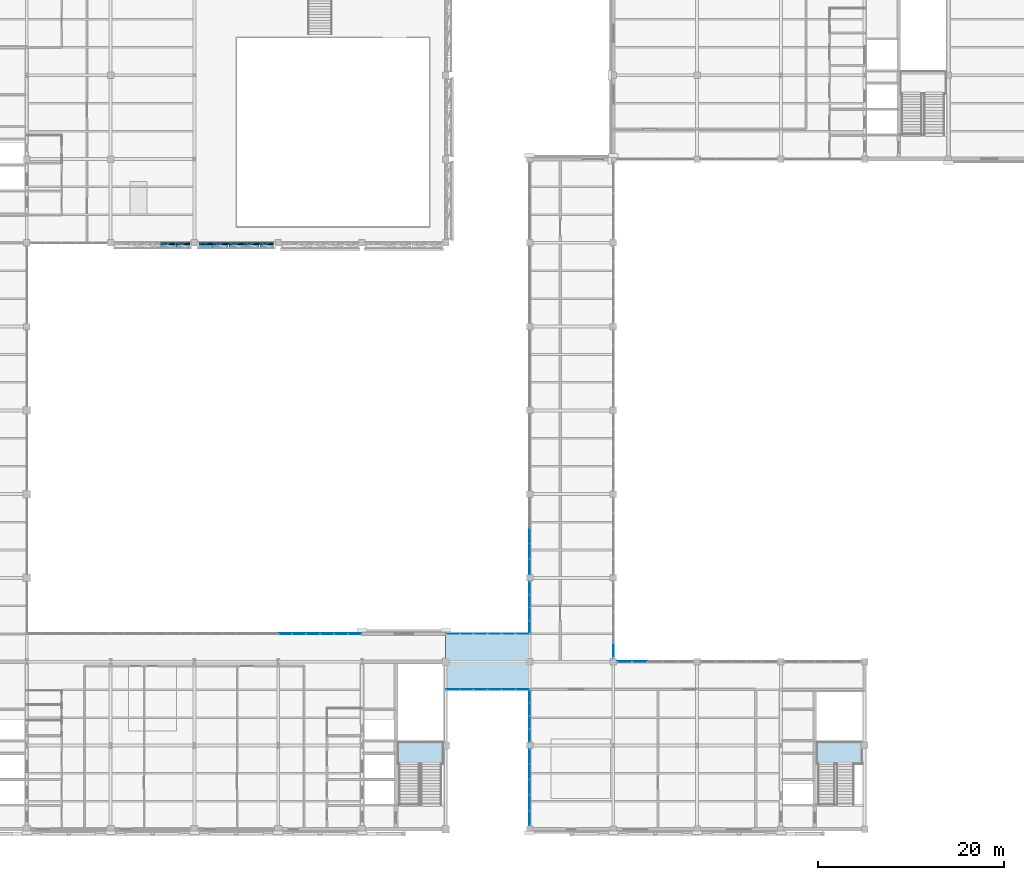
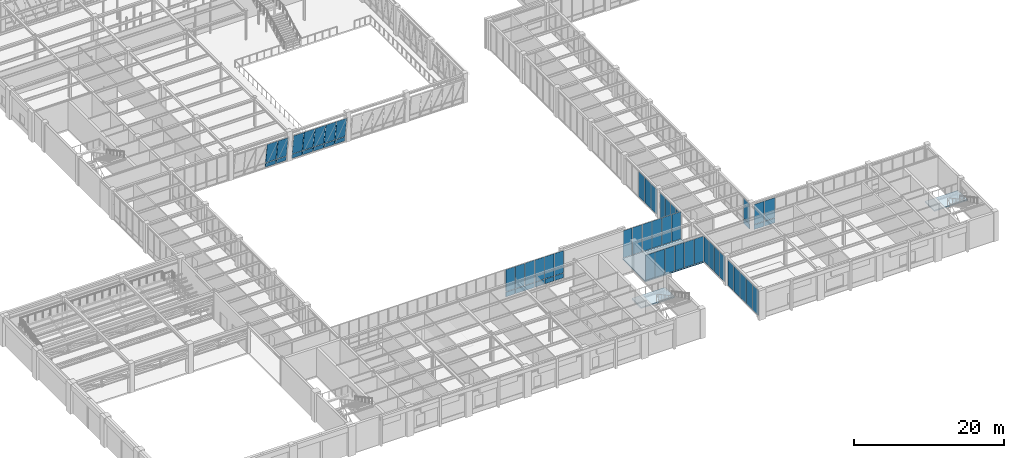
# One storey, part 70 of 92: 60 plates, 3 slabs, 13 elements without a shape of their own.
"""IFC4 building model written with IfcOpenShell, lengths in metres."""

from ifc_helpers import new_model, si_unit, direction, frame, origin, origin_2d, place, context, subcontext, project, spatial, polyline, rectangle, outline, extrude, material, layer, layer_set, type_object, element, aggregate, save


model = new_model("IFC4")

# Units and contexts
model_context = context("Model", 3, precision=1e-05, world=origin(), true_north=direction((0.0, 1.0)))
body_context = subcontext(model_context, "Body", "Model", "MODEL_VIEW")
ifc_project = project(units=[si_unit("LENGTHUNIT", "METRE"), si_unit("AREAUNIT", "SQUARE_METRE"), si_unit("VOLUMEUNIT", "CUBIC_METRE"), si_unit("PLANEANGLEUNIT", "RADIAN"), si_unit("MASSUNIT", "GRAM", prefix="KILO")], contexts=[model_context])

# Site, building, storey
site_placement = place(None, origin())
site = spatial("IfcSite", under=ifc_project, at=site_placement, CompositionType="ELEMENT")
building_placement = place(site_placement, origin())
building = spatial("IfcBuilding", under=site, at=building_placement, Name="Lykobir Media Centre", CompositionType="ELEMENT")
storey_placement = place(building_placement, frame((0.0, 0.0, 5.39990234375)))
storey = spatial("IfcBuildingStorey", under=building, at=storey_placement, Name="L01", CompositionType="ELEMENT", Elevation=5.39990234375)

# Curtain wall, plates
ifc_material_1 = material(Name="Anodized Aluminium AW-6060", Category="aluminium")
curtain_wall_type_1 = type_object("IfcCurtainWallType", Name="CW-BRIDGE", PredefinedType="NOTDEFINED", material=ifc_material_1)
curtain_wall_1_placement = place(storey_placement, origin())
curtain_wall_1 = element("IfcCurtainWall", 1, at=curtain_wall_1_placement, inside=storey, type_object=curtain_wall_type_1, Name="Curtain wall CW2-L01-0025", PredefinedType="NOTDEFINED")
ifc_material_2 = material(Name="Low-E Laminated Triple Glazing", Category="glass")
ifc_layer_1 = layer(ifc_material_2, 0.0380859375, Name="Low-E Laminated Triple Glazing")
ifc_layer_set_1 = layer_set([ifc_layer_1], Name="Low-E Laminated Triple Glazing")
plate_type_1 = type_object("IfcPlateType", Name="CWP-GLZ-38", PredefinedType="CURTAIN_PANEL", material=ifc_layer_set_1)
plate_1_placement = place(storey_placement, frame((89.23388671875, 15.0, 0.065185546875), z_axis=(0.0, 0.0, 1.0), x_axis=(-1.0, 0.0, 0.0)))
plate_1 = element("IfcPlate", 2, at=plate_1_placement, type_object=plate_type_1, Name="CW2-L01-0025 panel 1.1", PredefinedType="CURTAIN_PANEL", context=body_context, shape_type="SweptSolid", body=[
    extrude(rectangle(XDim=1.402587890625, YDim=0.0380859375, at=origin_2d()), origin(), (0.0, 0.0, 1.0), 4.074951171875),
])
plate_2_placement = place(storey_placement, frame((87.75, 15.0, 0.065185546875), z_axis=(0.0, 0.0, 1.0), x_axis=(-1.0, 0.0, 0.0)))
plate_2 = element("IfcPlate", 3, at=plate_2_placement, type_object=plate_type_1, Name="CW2-L01-0025 panel 2.1", PredefinedType="CURTAIN_PANEL", context=body_context, shape_type="SweptSolid", body=[
    extrude(rectangle(XDim=1.43505859375, YDim=0.0380859375, at=origin_2d()), origin(), (0.0, 0.0, 1.0), 4.074951171875),
])
plate_3_placement = place(storey_placement, frame((86.25, 15.0, 0.065185546875), z_axis=(0.0, 0.0, 1.0), x_axis=(-1.0, 0.0, 0.0)))
plate_3 = element("IfcPlate", 4, at=plate_3_placement, type_object=plate_type_1, Name="CW2-L01-0025 panel 3.1", PredefinedType="CURTAIN_PANEL", context=body_context, shape_type="SweptSolid", body=[
    extrude(rectangle(XDim=1.43505859375, YDim=0.0380859375, at=origin_2d()), origin(), (0.0, 0.0, 1.0), 4.074951171875),
])
plate_4_placement = place(storey_placement, frame((84.75, 15.0, 0.065185546875), z_axis=(0.0, 0.0, 1.0), x_axis=(-1.0, 0.0, 0.0)))
plate_4 = element("IfcPlate", 5, at=plate_4_placement, type_object=plate_type_1, Name="CW2-L01-0025 panel 4.1", PredefinedType="CURTAIN_PANEL", context=body_context, shape_type="SweptSolid", body=[
    extrude(rectangle(XDim=1.43505859375, YDim=0.0380859375, at=origin_2d()), origin(), (0.0, 0.0, 1.0), 4.074951171875),
])
plate_5_placement = place(storey_placement, frame((83.25, 15.0, 0.065185546875), z_axis=(0.0, 0.0, 1.0), x_axis=(-1.0, 0.0, 0.0)))
plate_5 = element("IfcPlate", 6, at=plate_5_placement, type_object=plate_type_1, Name="CW2-L01-0025 panel 5.1", PredefinedType="CURTAIN_PANEL", context=body_context, shape_type="SweptSolid", body=[
    extrude(rectangle(XDim=1.43505859375, YDim=0.0380859375, at=origin_2d()), origin(), (0.0, 0.0, 1.0), 4.074951171875),
])
plate_6_placement = place(storey_placement, frame((81.76611328125, 15.0, 0.065185546875), z_axis=(0.0, 0.0, 1.0), x_axis=(-1.0, 0.0, 0.0)))
plate_6 = element("IfcPlate", 7, at=plate_6_placement, type_object=plate_type_1, Name="CW2-L01-0025 panel 6.1", PredefinedType="CURTAIN_PANEL", context=body_context, shape_type="SweptSolid", body=[
    extrude(rectangle(XDim=1.402587890625, YDim=0.0380859375, at=origin_2d()), origin(), (0.0, 0.0, 1.0), 4.074951171875),
])
aggregate(curtain_wall_1, [plate_1, plate_2, plate_3, plate_4, plate_5, plate_6])

curtain_wall_2_placement = place(storey_placement, origin())
curtain_wall_2 = element("IfcCurtainWall", 8, at=curtain_wall_2_placement, inside=storey, type_object=curtain_wall_type_1, Name="Curtain wall CW2-L01-0026", PredefinedType="NOTDEFINED")
plate_7_placement = place(storey_placement, frame((90.0, 1.2001953125, 0.065185546875), z_axis=(0.0, 0.0, 1.0), x_axis=(0.0, 1.0, 0.0)))
plate_7 = element("IfcPlate", 9, at=plate_7_placement, type_object=plate_type_1, Name="CW2-L01-0026 panel 1.1", PredefinedType="CURTAIN_PANEL", context=body_context, shape_type="SweptSolid", body=[
    extrude(rectangle(XDim=1.560546875, YDim=0.0380859375, at=origin_2d()), origin(), (0.0, 0.0, 1.0), 4.06494140625),
])
plate_8_placement = place(storey_placement, frame((90.0, 2.842041015625, 0.065185546875), z_axis=(0.0, 0.0, 1.0), x_axis=(0.0, 1.0, 0.0)))
plate_8 = element("IfcPlate", 10, at=plate_8_placement, type_object=plate_type_1, Name="CW2-L01-0026 panel 2.1", PredefinedType="CURTAIN_PANEL", context=body_context, shape_type="SweptSolid", body=[
    extrude(rectangle(XDim=1.593017578125, YDim=0.0380859375, at=origin_2d()), origin(), (0.0, 0.0, 1.0), 4.06494140625),
])
plate_9_placement = place(storey_placement, frame((90.0, 4.5, 0.065185546875), z_axis=(0.0, 0.0, 1.0), x_axis=(0.0, 1.0, 0.0)))
plate_9 = element("IfcPlate", 11, at=plate_9_placement, type_object=plate_type_1, Name="CW2-L01-0026 panel 3.1", PredefinedType="CURTAIN_PANEL", context=body_context, shape_type="SweptSolid", body=[
    extrude(rectangle(XDim=1.593017578125, YDim=0.0380859375, at=origin_2d()), origin(), (0.0, 0.0, 1.0), 4.06494140625),
])
plate_10_placement = place(storey_placement, frame((90.0, 6.157958984375, 0.065185546875), z_axis=(0.0, 0.0, 1.0), x_axis=(0.0, 1.0, 0.0)))
plate_10 = element("IfcPlate", 12, at=plate_10_placement, type_object=plate_type_1, Name="CW2-L01-0026 panel 4.1", PredefinedType="CURTAIN_PANEL", context=body_context, shape_type="SweptSolid", body=[
    extrude(rectangle(XDim=1.593017578125, YDim=0.0380859375, at=origin_2d()), origin(), (0.0, 0.0, 1.0), 4.06494140625),
])
plate_11_placement = place(storey_placement, frame((90.0, 7.7998046875, 0.065185546875), z_axis=(0.0, 0.0, 1.0), x_axis=(0.0, 1.0, 0.0)))
plate_11 = element("IfcPlate", 13, at=plate_11_placement, type_object=plate_type_1, Name="CW2-L01-0026 panel 5.1", PredefinedType="CURTAIN_PANEL", context=body_context, shape_type="SweptSolid", body=[
    extrude(rectangle(XDim=1.560546875, YDim=0.0380859375, at=origin_2d()), origin(), (0.0, 0.0, 1.0), 4.06494140625),
])
aggregate(curtain_wall_2, [plate_7, plate_8, plate_9, plate_10, plate_11])

curtain_wall_3_placement = place(storey_placement, origin())
curtain_wall_3 = element("IfcCurtainWall", 14, at=curtain_wall_3_placement, inside=storey, type_object=curtain_wall_type_1, Name="Curtain wall CW2-L01-0027", PredefinedType="NOTDEFINED")
plate_12_placement = place(storey_placement, frame((90.0, 10.076904296875, 0.065185546875), z_axis=(0.0, 0.0, 1.0), x_axis=(0.0, 1.0, 0.0)))
plate_12 = element("IfcPlate", 15, at=plate_12_placement, type_object=plate_type_1, Name="CW2-L01-0027 panel 1.1", PredefinedType="CURTAIN_PANEL", context=body_context, shape_type="SweptSolid", body=[
    extrude(rectangle(XDim=1.313720703125, YDim=0.0380859375, at=origin_2d()), origin(), (0.0, 0.0, 1.0), 4.06494140625),
])
plate_13_placement = place(storey_placement, frame((90.0, 11.471923828125, 0.065185546875), z_axis=(0.0, 0.0, 1.0), x_axis=(0.0, 1.0, 0.0)))
plate_13 = element("IfcPlate", 16, at=plate_13_placement, type_object=plate_type_1, Name="CW2-L01-0027 panel 2.1", PredefinedType="CURTAIN_PANEL", context=body_context, shape_type="SweptSolid", body=[
    extrude(rectangle(XDim=1.34619140625, YDim=0.0380859375, at=origin_2d()), origin(), (0.0, 0.0, 1.0), 4.06494140625),
])
plate_14_placement = place(storey_placement, frame((90.0, 12.883056640625, 0.065185546875), z_axis=(0.0, 0.0, 1.0), x_axis=(0.0, 1.0, 0.0)))
plate_14 = element("IfcPlate", 17, at=plate_14_placement, type_object=plate_type_1, Name="CW2-L01-0027 panel 3.1", PredefinedType="CURTAIN_PANEL", context=body_context, shape_type="SweptSolid", body=[
    extrude(rectangle(XDim=1.34619140625, YDim=0.0380859375, at=origin_2d()), origin(), (0.0, 0.0, 1.0), 4.06494140625),
])
plate_15_placement = place(storey_placement, frame((90.0, 14.278076171875, 0.065185546875), z_axis=(0.0, 0.0, 1.0), x_axis=(0.0, 1.0, 0.0)))
plate_15 = element("IfcPlate", 18, at=plate_15_placement, type_object=plate_type_1, Name="CW2-L01-0027 panel 4.1", PredefinedType="CURTAIN_PANEL", context=body_context, shape_type="SweptSolid", body=[
    extrude(rectangle(XDim=1.313720703125, YDim=0.0380859375, at=origin_2d()), origin(), (0.0, 0.0, 1.0), 4.06494140625),
])
aggregate(curtain_wall_3, [plate_12, plate_13, plate_14, plate_15])

curtain_wall_type_2 = type_object("IfcCurtainWallType", Name="CW-COURT-A", PredefinedType="NOTDEFINED", material=ifc_material_1)
curtain_wall_4_placement = place(storey_placement, origin())
curtain_wall_4 = element("IfcCurtainWall", 19, at=curtain_wall_4_placement, inside=storey, type_object=curtain_wall_type_2, Name="Curtain wall CW2-L01-0028", PredefinedType="NOTDEFINED")
plate_16_placement = place(storey_placement, frame((100.2001953125, 18.0, 0.882568359375), z_axis=(0.0, 0.0, 1.0), x_axis=(1.0, 0.0, 0.0)))
plate_16 = element("IfcPlate", 20, at=plate_16_placement, type_object=plate_type_1, Name="CW2-L01-0028 panel 1.2", PredefinedType="CURTAIN_PANEL", context=body_context, shape_type="SweptSolid", body=[
    extrude(rectangle(XDim=1.560546875, YDim=0.0380859375, at=origin_2d()), origin(), (0.0, 0.0, 1.0), 3.24755859375),
])
plate_17_placement = place(storey_placement, frame((101.842041015625, 18.0, 0.882568359375), z_axis=(0.0, 0.0, 1.0), x_axis=(1.0, 0.0, 0.0)))
plate_17 = element("IfcPlate", 21, at=plate_17_placement, type_object=plate_type_1, Name="CW2-L01-0028 panel 2.2", PredefinedType="CURTAIN_PANEL", context=body_context, shape_type="SweptSolid", body=[
    extrude(rectangle(XDim=1.593017578125, YDim=0.0380859375, at=origin_2d()), origin(), (0.0, 0.0, 1.0), 3.24755859375),
])

# Curtain wall, plate
curtain_wall_5_placement = place(storey_placement, origin())
curtain_wall_5 = element("IfcCurtainWall", 22, at=curtain_wall_5_placement, inside=storey, type_object=curtain_wall_type_2, Name="Curtain wall CW2-L01-0031", PredefinedType="NOTDEFINED")
plate_18_placement = place(storey_placement, frame((99.0, 19.2001953125, 0.882568359375), z_axis=(0.0, 0.0, 1.0), x_axis=(0.0, -1.0, 0.0)))
plate_18 = element("IfcPlate", 23, at=plate_18_placement, type_object=plate_type_1, Name="CW2-L01-0031 panel 5.2", PredefinedType="CURTAIN_PANEL", context=body_context, shape_type="SweptSolid", body=[
    extrude(rectangle(XDim=1.560546875, YDim=0.0380859375, at=origin_2d()), origin(), (0.0, 0.0, 1.0), 3.24755859375),
])

# Curtain wall, plates
curtain_wall_6_placement = place(storey_placement, origin())
curtain_wall_6 = element("IfcCurtainWall", 24, at=curtain_wall_6_placement, inside=storey, type_object=curtain_wall_type_1, Name="Curtain wall CW2-L01-0037", PredefinedType="NOTDEFINED")
plate_19_placement = place(storey_placement, frame((90.0, 21.721923828125, 0.065185546875), z_axis=(0.0, 0.0, 1.0), x_axis=(0.0, 1.0, 0.0)))
plate_19 = element("IfcPlate", 25, at=plate_19_placement, type_object=plate_type_1, Name="CW2-L01-0037 panel 1.1", PredefinedType="CURTAIN_PANEL", context=body_context, shape_type="SweptSolid", body=[
    extrude(rectangle(XDim=1.313720703125, YDim=0.0380859375, at=origin_2d()), origin(), (0.0, 0.0, 1.0), 4.06494140625),
])
plate_20_placement = place(storey_placement, frame((90.0, 23.116943359375, 0.065185546875), z_axis=(0.0, 0.0, 1.0), x_axis=(0.0, 1.0, 0.0)))
plate_20 = element("IfcPlate", 26, at=plate_20_placement, type_object=plate_type_1, Name="CW2-L01-0037 panel 2.1", PredefinedType="CURTAIN_PANEL", context=body_context, shape_type="SweptSolid", body=[
    extrude(rectangle(XDim=1.34619140625, YDim=0.0380859375, at=origin_2d()), origin(), (0.0, 0.0, 1.0), 4.06494140625),
])
plate_21_placement = place(storey_placement, frame((90.0, 24.528076171875, 0.065185546875), z_axis=(0.0, 0.0, 1.0), x_axis=(0.0, 1.0, 0.0)))
plate_21 = element("IfcPlate", 27, at=plate_21_placement, type_object=plate_type_1, Name="CW2-L01-0037 panel 3.1", PredefinedType="CURTAIN_PANEL", context=body_context, shape_type="SweptSolid", body=[
    extrude(rectangle(XDim=1.34619140625, YDim=0.0380859375, at=origin_2d()), origin(), (0.0, 0.0, 1.0), 4.06494140625),
])
plate_22_placement = place(storey_placement, frame((90.0, 25.923095703125, 0.065185546875), z_axis=(0.0, 0.0, 1.0), x_axis=(0.0, 1.0, 0.0)))
plate_22 = element("IfcPlate", 28, at=plate_22_placement, type_object=plate_type_1, Name="CW2-L01-0037 panel 4.1", PredefinedType="CURTAIN_PANEL", context=body_context, shape_type="SweptSolid", body=[
    extrude(rectangle(XDim=1.313720703125, YDim=0.0380859375, at=origin_2d()), origin(), (0.0, 0.0, 1.0), 4.06494140625),
])
aggregate(curtain_wall_6, [plate_19, plate_20, plate_21, plate_22])

curtain_wall_7_placement = place(storey_placement, origin())
curtain_wall_7 = element("IfcCurtainWall", 29, at=curtain_wall_7_placement, inside=storey, type_object=curtain_wall_type_1, Name="Curtain wall CW2-L01-0038", PredefinedType="NOTDEFINED")
plate_23_placement = place(storey_placement, frame((90.0, 28.2001953125, 0.065185546875), z_axis=(0.0, 0.0, 1.0), x_axis=(0.0, 1.0, 0.0)))
plate_23 = element("IfcPlate", 30, at=plate_23_placement, type_object=plate_type_1, Name="CW2-L01-0038 panel 1.1", PredefinedType="CURTAIN_PANEL", context=body_context, shape_type="SweptSolid", body=[
    extrude(rectangle(XDim=1.560546875, YDim=0.0380859375, at=origin_2d()), origin(), (0.0, 0.0, 1.0), 4.06494140625),
])
plate_24_placement = place(storey_placement, frame((90.0, 29.842041015625, 0.065185546875), z_axis=(0.0, 0.0, 1.0), x_axis=(0.0, 1.0, 0.0)))
plate_24 = element("IfcPlate", 31, at=plate_24_placement, type_object=plate_type_1, Name="CW2-L01-0038 panel 2.1", PredefinedType="CURTAIN_PANEL", context=body_context, shape_type="SweptSolid", body=[
    extrude(rectangle(XDim=1.593017578125, YDim=0.0380859375, at=origin_2d()), origin(), (0.0, 0.0, 1.0), 4.06494140625),
])
plate_25_placement = place(storey_placement, frame((90.0, 31.5, 0.065185546875), z_axis=(0.0, 0.0, 1.0), x_axis=(0.0, 1.0, 0.0)))
plate_25 = element("IfcPlate", 32, at=plate_25_placement, type_object=plate_type_1, Name="CW2-L01-0038 panel 3.1", PredefinedType="CURTAIN_PANEL", context=body_context, shape_type="SweptSolid", body=[
    extrude(rectangle(XDim=1.593017578125, YDim=0.0380859375, at=origin_2d()), origin(), (0.0, 0.0, 1.0), 4.06494140625),
])
aggregate(curtain_wall_7, [plate_23, plate_24, plate_25])

curtain_wall_8_placement = place(storey_placement, origin())
curtain_wall_8 = element("IfcCurtainWall", 33, at=curtain_wall_8_placement, inside=storey, type_object=curtain_wall_type_1, Name="Curtain wall CW2-L01-0043", PredefinedType="NOTDEFINED")
plate_26_placement = place(storey_placement, frame((81.76611328125, 21.0, 0.065185546875), z_axis=(0.0, 0.0, 1.0), x_axis=(1.0, 0.0, 0.0)))
plate_26 = element("IfcPlate", 34, at=plate_26_placement, type_object=plate_type_1, Name="CW2-L01-0043 panel 1.1", PredefinedType="CURTAIN_PANEL", context=body_context, shape_type="SweptSolid", body=[
    extrude(rectangle(XDim=1.402587890625, YDim=0.0380859375, at=origin_2d()), origin(), (0.0, 0.0, 1.0), 4.409912109375),
])
plate_27_placement = place(storey_placement, frame((83.25, 21.0, 0.065185546875), z_axis=(0.0, 0.0, 1.0), x_axis=(1.0, 0.0, 0.0)))
plate_27 = element("IfcPlate", 35, at=plate_27_placement, type_object=plate_type_1, Name="CW2-L01-0043 panel 2.1", PredefinedType="CURTAIN_PANEL", context=body_context, shape_type="SweptSolid", body=[
    extrude(rectangle(XDim=1.43505859375, YDim=0.0380859375, at=origin_2d()), origin(), (0.0, 0.0, 1.0), 4.409912109375),
])
plate_28_placement = place(storey_placement, frame((84.75, 21.0, 0.065185546875), z_axis=(0.0, 0.0, 1.0), x_axis=(1.0, 0.0, 0.0)))
plate_28 = element("IfcPlate", 36, at=plate_28_placement, type_object=plate_type_1, Name="CW2-L01-0043 panel 3.1", PredefinedType="CURTAIN_PANEL", context=body_context, shape_type="SweptSolid", body=[
    extrude(rectangle(XDim=1.43505859375, YDim=0.0380859375, at=origin_2d()), origin(), (0.0, 0.0, 1.0), 4.409912109375),
])
plate_29_placement = place(storey_placement, frame((86.25, 21.0, 0.065185546875), z_axis=(0.0, 0.0, 1.0), x_axis=(1.0, 0.0, 0.0)))
plate_29 = element("IfcPlate", 37, at=plate_29_placement, type_object=plate_type_1, Name="CW2-L01-0043 panel 4.1", PredefinedType="CURTAIN_PANEL", context=body_context, shape_type="SweptSolid", body=[
    extrude(rectangle(XDim=1.43505859375, YDim=0.0380859375, at=origin_2d()), origin(), (0.0, 0.0, 1.0), 4.409912109375),
])
plate_30_placement = place(storey_placement, frame((87.75, 21.0, 0.065185546875), z_axis=(0.0, 0.0, 1.0), x_axis=(1.0, 0.0, 0.0)))
plate_30 = element("IfcPlate", 38, at=plate_30_placement, type_object=plate_type_1, Name="CW2-L01-0043 panel 5.1", PredefinedType="CURTAIN_PANEL", context=body_context, shape_type="SweptSolid", body=[
    extrude(rectangle(XDim=1.43505859375, YDim=0.0380859375, at=origin_2d()), origin(), (0.0, 0.0, 1.0), 4.409912109375),
])
plate_31_placement = place(storey_placement, frame((89.23388671875, 21.0, 0.065185546875), z_axis=(0.0, 0.0, 1.0), x_axis=(1.0, 0.0, 0.0)))
plate_31 = element("IfcPlate", 39, at=plate_31_placement, type_object=plate_type_1, Name="CW2-L01-0043 panel 6.1", PredefinedType="CURTAIN_PANEL", context=body_context, shape_type="SweptSolid", body=[
    extrude(rectangle(XDim=1.402587890625, YDim=0.0380859375, at=origin_2d()), origin(), (0.0, 0.0, 1.0), 4.409912109375),
])
aggregate(curtain_wall_8, [plate_26, plate_27, plate_28, plate_29, plate_30, plate_31])

curtain_wall_9_placement = place(storey_placement, origin())
curtain_wall_9 = element("IfcCurtainWall", 40, at=curtain_wall_9_placement, inside=storey, type_object=curtain_wall_type_2, Name="Curtain wall CW2-L01-0047", PredefinedType="NOTDEFINED")
plate_32_placement = place(storey_placement, frame((63.76611328125, 21.0, 0.882568359375), z_axis=(0.0, 0.0, 1.0), x_axis=(1.0, 0.0, 0.0)))
plate_32 = element("IfcPlate", 41, at=plate_32_placement, type_object=plate_type_1, Name="CW2-L01-0047 panel 1.2", PredefinedType="CURTAIN_PANEL", context=body_context, shape_type="SweptSolid", body=[
    extrude(rectangle(XDim=1.402587890625, YDim=0.0380859375, at=origin_2d()), origin(), (0.0, 0.0, 1.0), 3.592529296875),
])
plate_33_placement = place(storey_placement, frame((65.25, 21.0, 0.882568359375), z_axis=(0.0, 0.0, 1.0), x_axis=(1.0, 0.0, 0.0)))
plate_33 = element("IfcPlate", 42, at=plate_33_placement, type_object=plate_type_1, Name="CW2-L01-0047 panel 2.2", PredefinedType="CURTAIN_PANEL", context=body_context, shape_type="SweptSolid", body=[
    extrude(rectangle(XDim=1.43505859375, YDim=0.0380859375, at=origin_2d()), origin(), (0.0, 0.0, 1.0), 3.592529296875),
])
plate_34_placement = place(storey_placement, frame((66.75, 21.0, 0.882568359375), z_axis=(0.0, 0.0, 1.0), x_axis=(1.0, 0.0, 0.0)))
plate_34 = element("IfcPlate", 43, at=plate_34_placement, type_object=plate_type_1, Name="CW2-L01-0047 panel 3.2", PredefinedType="CURTAIN_PANEL", context=body_context, shape_type="SweptSolid", body=[
    extrude(rectangle(XDim=1.43505859375, YDim=0.0380859375, at=origin_2d()), origin(), (0.0, 0.0, 1.0), 3.592529296875),
])
plate_35_placement = place(storey_placement, frame((68.25, 21.0, 0.882568359375), z_axis=(0.0, 0.0, 1.0), x_axis=(1.0, 0.0, 0.0)))
plate_35 = element("IfcPlate", 44, at=plate_35_placement, type_object=plate_type_1, Name="CW2-L01-0047 panel 4.2", PredefinedType="CURTAIN_PANEL", context=body_context, shape_type="SweptSolid", body=[
    extrude(rectangle(XDim=1.43505859375, YDim=0.0380859375, at=origin_2d()), origin(), (0.0, 0.0, 1.0), 3.592529296875),
])
plate_36_placement = place(storey_placement, frame((69.75, 21.0, 0.882568359375), z_axis=(0.0, 0.0, 1.0), x_axis=(1.0, 0.0, 0.0)))
plate_36 = element("IfcPlate", 45, at=plate_36_placement, type_object=plate_type_1, Name="CW2-L01-0047 panel 5.2", PredefinedType="CURTAIN_PANEL", context=body_context, shape_type="SweptSolid", body=[
    extrude(rectangle(XDim=1.43505859375, YDim=0.0380859375, at=origin_2d()), origin(), (0.0, 0.0, 1.0), 3.592529296875),
])
plate_37_placement = place(storey_placement, frame((71.23388671875, 21.0, 0.882568359375), z_axis=(0.0, 0.0, 1.0), x_axis=(1.0, 0.0, 0.0)))
plate_37 = element("IfcPlate", 46, at=plate_37_placement, type_object=plate_type_1, Name="CW2-L01-0047 panel 6.2", PredefinedType="CURTAIN_PANEL", context=body_context, shape_type="SweptSolid", body=[
    extrude(rectangle(XDim=1.402587890625, YDim=0.0380859375, at=origin_2d()), origin(), (0.0, 0.0, 1.0), 3.592529296875),
])

curtain_wall_type_3 = type_object("IfcCurtainWallType", Name="CW-V6-CR1", PredefinedType="NOTDEFINED", material=ifc_material_1)
curtain_wall_10_placement = place(storey_placement, origin())
curtain_wall_10 = element("IfcCurtainWall", 47, at=curtain_wall_10_placement, inside=storey, type_object=curtain_wall_type_3, Name="Curtain wall CW2-L01-0054", PredefinedType="NOTDEFINED")
ifc_layer_2 = layer(ifc_material_2, 0.0439453125, Name="Low-E Laminated Triple Glazing")
ifc_layer_set_2 = layer_set([ifc_layer_2], Name="Low-E Laminated Triple Glazing")
plate_type_2 = type_object("IfcPlateType", Name="CWP-GLZ-44", PredefinedType="CURTAIN_PANEL", material=ifc_layer_set_2)
plate_38_placement = place(storey_placement, frame((51.157958984375, 62.873291015625, 0.87841796875), z_axis=(0.0, -0.142628933706, 0.989776230908), x_axis=(1.0, 0.0, 0.0)))
plate_38 = element("IfcPlate", 48, at=plate_38_placement, type_object=plate_type_2, Name="CW2-L01-0054 panel 4.2", PredefinedType="CURTAIN_PANEL", context=body_context, shape_type="SweptSolid", body=[
    extrude(rectangle(XDim=1.5830078125, YDim=0.0439453125, at=origin_2d()), origin(), (0.0, 0.0, 1.0), 3.27587890625),
])
plate_39_placement = place(storey_placement, frame((52.79736328125, 62.873291015625, 0.87841796875), z_axis=(0.0, -0.142628933706, 0.989776230908), x_axis=(1.0, 0.0, 0.0)))
plate_39 = element("IfcPlate", 49, at=plate_39_placement, type_object=plate_type_2, Name="CW2-L01-0054 panel 5.2", PredefinedType="CURTAIN_PANEL", context=body_context, shape_type="SweptSolid", body=[
    extrude(rectangle(XDim=1.54541015625, YDim=0.0439453125, at=origin_2d()), origin(), (0.0, 0.0, 1.0), 3.27587890625),
])

curtain_wall_11_placement = place(storey_placement, origin())
curtain_wall_11 = element("IfcCurtainWall", 50, at=curtain_wall_11_placement, inside=storey, type_object=curtain_wall_type_3, Name="Curtain wall CW2-L01-0055", PredefinedType="NOTDEFINED")
plate_40_placement = place(storey_placement, frame((55.20263671875, 62.873291015625, 0.87841796875), z_axis=(0.0, -0.142628933706, 0.989776230908), x_axis=(1.0, 0.0, 0.0)))
plate_40 = element("IfcPlate", 51, at=plate_40_placement, type_object=plate_type_2, Name="CW2-L01-0055 panel 1.2", PredefinedType="CURTAIN_PANEL", context=body_context, shape_type="SweptSolid", body=[
    extrude(rectangle(XDim=1.54541015625, YDim=0.0439453125, at=origin_2d()), origin(), (0.0, 0.0, 1.0), 3.27587890625),
])
plate_41_placement = place(storey_placement, frame((56.842041015625, 62.873291015625, 0.87841796875), z_axis=(0.0, -0.142628933706, 0.989776230908), x_axis=(1.0, 0.0, 0.0)))
plate_41 = element("IfcPlate", 52, at=plate_41_placement, type_object=plate_type_2, Name="CW2-L01-0055 panel 2.2", PredefinedType="CURTAIN_PANEL", context=body_context, shape_type="SweptSolid", body=[
    extrude(rectangle(XDim=1.5830078125, YDim=0.0439453125, at=origin_2d()), origin(), (0.0, 0.0, 1.0), 3.27587890625),
])
plate_42_placement = place(storey_placement, frame((58.5, 62.873291015625, 0.87841796875), z_axis=(0.0, -0.142628933706, 0.989776230908), x_axis=(1.0, 0.0, 0.0)))
plate_42 = element("IfcPlate", 53, at=plate_42_placement, type_object=plate_type_2, Name="CW2-L01-0055 panel 3.2", PredefinedType="CURTAIN_PANEL", context=body_context, shape_type="SweptSolid", body=[
    extrude(rectangle(XDim=1.5830078125, YDim=0.0439453125, at=origin_2d()), origin(), (0.0, 0.0, 1.0), 3.27587890625),
])
plate_43_placement = place(storey_placement, frame((60.157958984375, 62.873291015625, 0.87841796875), z_axis=(0.0, -0.142628933706, 0.989776230908), x_axis=(1.0, 0.0, 0.0)))
plate_43 = element("IfcPlate", 54, at=plate_43_placement, type_object=plate_type_2, Name="CW2-L01-0055 panel 4.2", PredefinedType="CURTAIN_PANEL", context=body_context, shape_type="SweptSolid", body=[
    extrude(rectangle(XDim=1.5830078125, YDim=0.0439453125, at=origin_2d()), origin(), (0.0, 0.0, 1.0), 3.27587890625),
])
plate_44_placement = place(storey_placement, frame((61.79736328125, 62.873291015625, 0.87841796875), z_axis=(0.0, -0.142628933706, 0.989776230908), x_axis=(1.0, 0.0, 0.0)))
plate_44 = element("IfcPlate", 55, at=plate_44_placement, type_object=plate_type_2, Name="CW2-L01-0055 panel 5.2", PredefinedType="CURTAIN_PANEL", context=body_context, shape_type="SweptSolid", body=[
    extrude(rectangle(XDim=1.54541015625, YDim=0.0439453125, at=origin_2d()), origin(), (0.0, 0.0, 1.0), 3.27587890625),
])

# Plate
ifc_material_3 = material(Name="Glazed Turquoise Terracotta", Category="masonry")
ifc_layer_3 = layer(ifc_material_3, 0.06005859375, Name="Glazed Turquoise Terracotta")
ifc_layer_set_3 = layer_set([ifc_layer_3], Name="Glazed Turquoise Terracotta")
plate_type_3 = type_object("IfcPlateType", Name="CWP-SPN-60", PredefinedType="CURTAIN_PANEL", material=ifc_layer_set_3)
plate_45_placement = place(storey_placement, frame((100.2001953125, 18.0, 0.065185546875), z_axis=(0.0, 0.0, 1.0), x_axis=(1.0, 0.0, 0.0)))
plate_45 = element("IfcPlate", 56, at=plate_45_placement, type_object=plate_type_3, Name="CW2-L01-0028 panel 1.1", PredefinedType="CURTAIN_PANEL", context=body_context, shape_type="SweptSolid", body=[
    extrude(rectangle(XDim=1.560546875, YDim=0.06005859375, at=origin_2d()), origin(), (0.0, 0.0, 1.0), 0.75244140625),
])

plate_46_placement = place(storey_placement, frame((101.842041015625, 18.0, 0.065185546875), z_axis=(0.0, 0.0, 1.0), x_axis=(1.0, 0.0, 0.0)))
plate_46 = element("IfcPlate", 57, at=plate_46_placement, type_object=plate_type_3, Name="CW2-L01-0028 panel 2.1", PredefinedType="CURTAIN_PANEL", context=body_context, shape_type="SweptSolid", body=[
    extrude(rectangle(XDim=1.593017578125, YDim=0.06005859375, at=origin_2d()), origin(), (0.0, 0.0, 1.0), 0.75244140625),
])

aggregate(curtain_wall_4, [plate_45, plate_16, plate_46, plate_17])

plate_47_placement = place(storey_placement, frame((99.0, 19.2001953125, 0.065185546875), z_axis=(0.0, 0.0, 1.0), x_axis=(0.0, -1.0, 0.0)))
plate_47 = element("IfcPlate", 58, at=plate_47_placement, type_object=plate_type_3, Name="CW2-L01-0031 panel 5.1", PredefinedType="CURTAIN_PANEL", context=body_context, shape_type="SweptSolid", body=[
    extrude(rectangle(XDim=1.560546875, YDim=0.06005859375, at=origin_2d()), origin(), (0.0, 0.0, 1.0), 0.75244140625),
])

aggregate(curtain_wall_5, [plate_47, plate_18])

plate_48_placement = place(storey_placement, frame((63.76611328125, 21.0, 0.065185546875), z_axis=(0.0, 0.0, 1.0), x_axis=(1.0, 0.0, 0.0)))
plate_48 = element("IfcPlate", 59, at=plate_48_placement, type_object=plate_type_3, Name="CW2-L01-0047 panel 1.1", PredefinedType="CURTAIN_PANEL", context=body_context, shape_type="SweptSolid", body=[
    extrude(rectangle(XDim=1.402587890625, YDim=0.06005859375, at=origin_2d()), origin(), (0.0, 0.0, 1.0), 0.75244140625),
])

plate_49_placement = place(storey_placement, frame((65.25, 21.0, 0.065185546875), z_axis=(0.0, 0.0, 1.0), x_axis=(1.0, 0.0, 0.0)))
plate_49 = element("IfcPlate", 60, at=plate_49_placement, type_object=plate_type_3, Name="CW2-L01-0047 panel 2.1", PredefinedType="CURTAIN_PANEL", context=body_context, shape_type="SweptSolid", body=[
    extrude(rectangle(XDim=1.43505859375, YDim=0.06005859375, at=origin_2d()), origin(), (0.0, 0.0, 1.0), 0.75244140625),
])

plate_50_placement = place(storey_placement, frame((66.75, 21.0, 0.065185546875), z_axis=(0.0, 0.0, 1.0), x_axis=(1.0, 0.0, 0.0)))
plate_50 = element("IfcPlate", 61, at=plate_50_placement, type_object=plate_type_3, Name="CW2-L01-0047 panel 3.1", PredefinedType="CURTAIN_PANEL", context=body_context, shape_type="SweptSolid", body=[
    extrude(rectangle(XDim=1.43505859375, YDim=0.06005859375, at=origin_2d()), origin(), (0.0, 0.0, 1.0), 0.75244140625),
])

plate_51_placement = place(storey_placement, frame((68.25, 21.0, 0.065185546875), z_axis=(0.0, 0.0, 1.0), x_axis=(1.0, 0.0, 0.0)))
plate_51 = element("IfcPlate", 62, at=plate_51_placement, type_object=plate_type_3, Name="CW2-L01-0047 panel 4.1", PredefinedType="CURTAIN_PANEL", context=body_context, shape_type="SweptSolid", body=[
    extrude(rectangle(XDim=1.43505859375, YDim=0.06005859375, at=origin_2d()), origin(), (0.0, 0.0, 1.0), 0.75244140625),
])

plate_52_placement = place(storey_placement, frame((69.75, 21.0, 0.065185546875), z_axis=(0.0, 0.0, 1.0), x_axis=(1.0, 0.0, 0.0)))
plate_52 = element("IfcPlate", 63, at=plate_52_placement, type_object=plate_type_3, Name="CW2-L01-0047 panel 5.1", PredefinedType="CURTAIN_PANEL", context=body_context, shape_type="SweptSolid", body=[
    extrude(rectangle(XDim=1.43505859375, YDim=0.06005859375, at=origin_2d()), origin(), (0.0, 0.0, 1.0), 0.75244140625),
])

plate_53_placement = place(storey_placement, frame((71.23388671875, 21.0, 0.065185546875), z_axis=(0.0, 0.0, 1.0), x_axis=(1.0, 0.0, 0.0)))
plate_53 = element("IfcPlate", 64, at=plate_53_placement, type_object=plate_type_3, Name="CW2-L01-0047 panel 6.1", PredefinedType="CURTAIN_PANEL", context=body_context, shape_type="SweptSolid", body=[
    extrude(rectangle(XDim=1.402587890625, YDim=0.06005859375, at=origin_2d()), origin(), (0.0, 0.0, 1.0), 0.75244140625),
])

aggregate(curtain_wall_9, [plate_48, plate_32, plate_49, plate_33, plate_50, plate_34, plate_51, plate_35, plate_52, plate_36, plate_53, plate_37])

plate_54_placement = place(storey_placement, frame((51.157958984375, 62.9892578125, 0.07421875), z_axis=(0.0, -0.142628933706, 0.989776230908), x_axis=(1.0, 0.0, 0.0)))
plate_54 = element("IfcPlate", 65, at=plate_54_placement, type_object=plate_type_3, Name="CW2-L01-0054 panel 4.1", PredefinedType="CURTAIN_PANEL", context=body_context, shape_type="SweptSolid", body=[
    extrude(rectangle(XDim=1.5830078125, YDim=0.06005859375, at=origin_2d()), origin(), (0.0, 0.0, 1.0), 0.737548828125),
])

plate_55_placement = place(storey_placement, frame((52.79736328125, 62.9892578125, 0.07421875), z_axis=(0.0, -0.142628933706, 0.989776230908), x_axis=(1.0, 0.0, 0.0)))
plate_55 = element("IfcPlate", 66, at=plate_55_placement, type_object=plate_type_3, Name="CW2-L01-0054 panel 5.1", PredefinedType="CURTAIN_PANEL", context=body_context, shape_type="SweptSolid", body=[
    extrude(rectangle(XDim=1.54541015625, YDim=0.06005859375, at=origin_2d()), origin(), (0.0, 0.0, 1.0), 0.737548828125),
])

aggregate(curtain_wall_10, [plate_54, plate_38, plate_55, plate_39])

plate_56_placement = place(storey_placement, frame((55.20263671875, 62.9892578125, 0.07421875), z_axis=(0.0, -0.142628933706, 0.989776230908), x_axis=(1.0, 0.0, 0.0)))
plate_56 = element("IfcPlate", 67, at=plate_56_placement, type_object=plate_type_3, Name="CW2-L01-0055 panel 1.1", PredefinedType="CURTAIN_PANEL", context=body_context, shape_type="SweptSolid", body=[
    extrude(rectangle(XDim=1.54541015625, YDim=0.06005859375, at=origin_2d()), origin(), (0.0, 0.0, 1.0), 0.737548828125),
])

plate_57_placement = place(storey_placement, frame((56.842041015625, 62.9892578125, 0.07421875), z_axis=(0.0, -0.142628933706, 0.989776230908), x_axis=(1.0, 0.0, 0.0)))
plate_57 = element("IfcPlate", 68, at=plate_57_placement, type_object=plate_type_3, Name="CW2-L01-0055 panel 2.1", PredefinedType="CURTAIN_PANEL", context=body_context, shape_type="SweptSolid", body=[
    extrude(rectangle(XDim=1.5830078125, YDim=0.06005859375, at=origin_2d()), origin(), (0.0, 0.0, 1.0), 0.737548828125),
])

plate_58_placement = place(storey_placement, frame((58.5, 62.9892578125, 0.07421875), z_axis=(0.0, -0.142628933706, 0.989776230908), x_axis=(1.0, 0.0, 0.0)))
plate_58 = element("IfcPlate", 69, at=plate_58_placement, type_object=plate_type_3, Name="CW2-L01-0055 panel 3.1", PredefinedType="CURTAIN_PANEL", context=body_context, shape_type="SweptSolid", body=[
    extrude(rectangle(XDim=1.5830078125, YDim=0.06005859375, at=origin_2d()), origin(), (0.0, 0.0, 1.0), 0.737548828125),
])

plate_59_placement = place(storey_placement, frame((60.157958984375, 62.9892578125, 0.07421875), z_axis=(0.0, -0.142628933706, 0.989776230908), x_axis=(1.0, 0.0, 0.0)))
plate_59 = element("IfcPlate", 70, at=plate_59_placement, type_object=plate_type_3, Name="CW2-L01-0055 panel 4.1", PredefinedType="CURTAIN_PANEL", context=body_context, shape_type="SweptSolid", body=[
    extrude(rectangle(XDim=1.5830078125, YDim=0.06005859375, at=origin_2d()), origin(), (0.0, 0.0, 1.0), 0.737548828125),
])

plate_60_placement = place(storey_placement, frame((61.79736328125, 62.9892578125, 0.07421875), z_axis=(0.0, -0.142628933706, 0.989776230908), x_axis=(1.0, 0.0, 0.0)))
plate_60 = element("IfcPlate", 71, at=plate_60_placement, type_object=plate_type_3, Name="CW2-L01-0055 panel 5.1", PredefinedType="CURTAIN_PANEL", context=body_context, shape_type="SweptSolid", body=[
    extrude(rectangle(XDim=1.54541015625, YDim=0.06005859375, at=origin_2d()), origin(), (0.0, 0.0, 1.0), 0.737548828125),
])

aggregate(curtain_wall_11, [plate_56, plate_40, plate_57, plate_41, plate_58, plate_42, plate_59, plate_43, plate_60, plate_44])

# Slab
ifc_material_4 = material(Name="Concrete C30/37", Category="concrete")
ifc_layer_4 = layer(ifc_material_4, 0.179931640625, Name="Concrete C30/37")
ifc_layer_set_4 = layer_set([ifc_layer_4], Name="Concrete C30/37")
slab_type_1 = type_object("IfcSlabType", Name="FS-180", PredefinedType="FLOOR", material=ifc_layer_set_4)
slab_1_placement = place(storey_placement, frame((0.0, 0.0, -0.179931640625)))
element("IfcSlab", 72, at=slab_1_placement, inside=storey, type_object=slab_type_1, Name="L01 structural slab 1", PredefinedType="FLOOR", context=body_context, shape_type="SweptSolid", body=[
    extrude(outline(polyline([(90.0, 15.0), (90.0, 21.0), (81.0, 21.0), (81.0, 15.0), (90.0, 15.0)])), origin(), (0.0, 0.0, 1.0), 0.179931640625),
])

# Stair, slab
stair_type_1 = type_object("IfcStairType", Name="ST-AUX-480", PredefinedType="HALF_TURN_STAIR", material=ifc_material_4)
stair_1_placement = place(storey_placement, origin())
stair_1 = element("IfcStair", 73, at=stair_1_placement, inside=storey, type_object=stair_type_1, Name="Escape stair ST-5 L01", PredefinedType="HALF_TURN_STAIR")
ifc_layer_5 = layer(ifc_material_4, 0.18505859375, Name="Concrete C30/37")
ifc_layer_set_5 = layer_set([ifc_layer_5], Name="Concrete C30/37")
slab_type_2 = type_object("IfcSlabType", Name="SL-185", PredefinedType="LANDING", material=ifc_layer_set_5)
slab_2_placement = place(storey_placement, frame((0.0, 0.0, 2.215087890625)))
slab_2 = element("IfcSlab", 74, at=slab_2_placement, type_object=slab_type_2, Name="ST-5-L01 landing 1", PredefinedType="LANDING", context=body_context, shape_type="SweptSolid", body=[
    extrude(outline(polyline([(120.72998046875, 6.949951171875), (125.8701171875, 6.949951171875), (125.8701171875, 9.429931640625), (120.72998046875, 9.429931640625), (120.72998046875, 6.949951171875)])), origin(), (0.0, 0.0, 1.0), 0.18505859375),
])
aggregate(stair_1, [slab_2])

stair_type_2 = type_object("IfcStairType", Name="ST-HT-480", PredefinedType="HALF_TURN_STAIR", material=ifc_material_4)
stair_2_placement = place(storey_placement, origin())
stair_2 = element("IfcStair", 75, at=stair_2_placement, inside=storey, type_object=stair_type_2, Name="Escape stair ST-2 L01", PredefinedType="HALF_TURN_STAIR")
ifc_layer_6 = layer(ifc_material_4, 0.195068359375, Name="Concrete C30/37")
ifc_layer_set_6 = layer_set([ifc_layer_6], Name="Concrete C30/37")
slab_type_3 = type_object("IfcSlabType", Name="SL-195", PredefinedType="LANDING", material=ifc_layer_set_6)
slab_3_placement = place(storey_placement, frame((0.0, 0.0, 2.205078125)))
slab_3 = element("IfcSlab", 76, at=slab_3_placement, type_object=slab_type_3, Name="ST-2-L01 landing 1", PredefinedType="LANDING", context=body_context, shape_type="SweptSolid", body=[
    extrude(outline(polyline([(75.72998046875, 6.949951171875), (80.8701171875, 6.949951171875), (80.8701171875, 9.429931640625), (75.72998046875, 9.429931640625), (75.72998046875, 6.949951171875)])), origin(), (0.0, 0.0, 1.0), 0.195068359375),
])
aggregate(stair_2, [slab_3])

save(model, "model.ifc")
